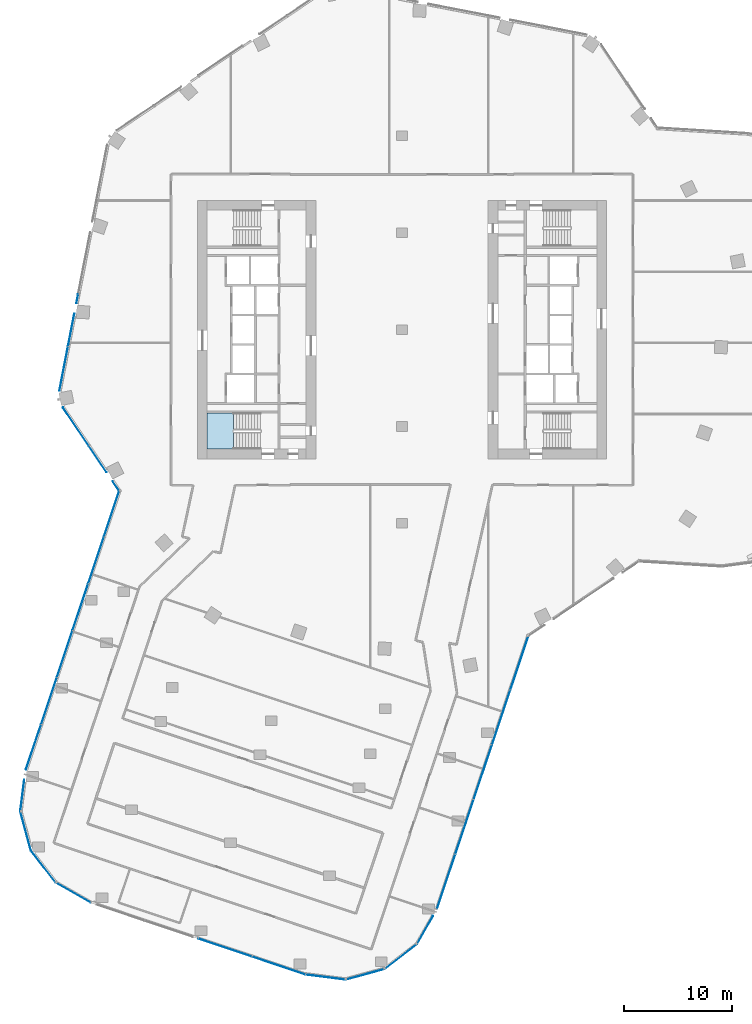
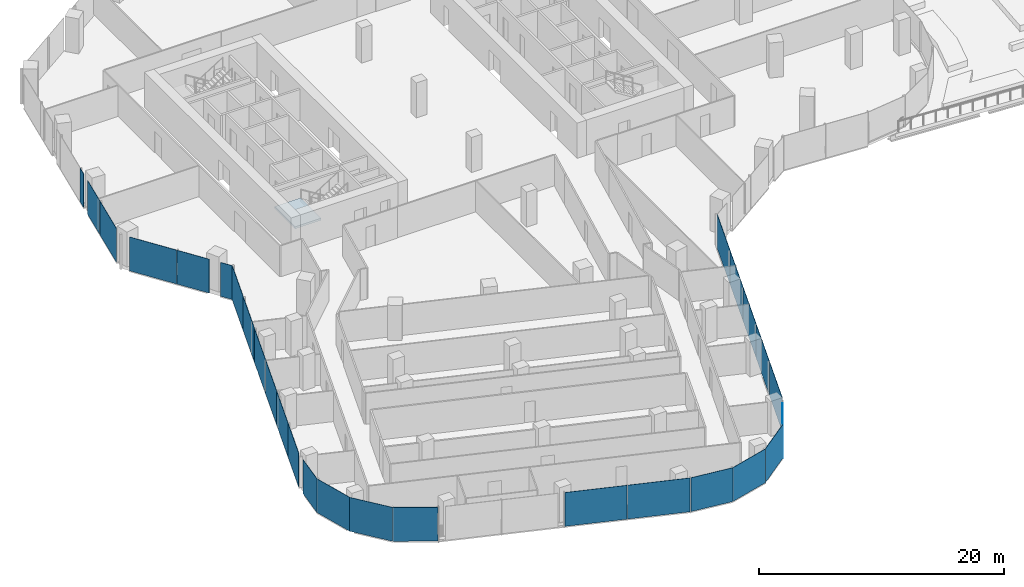
# One storey, part 15 of 26: 27 plates, 1 slab, 14 elements without a shape of their own.
"""IFC4 building model written with IfcOpenShell, lengths in metres."""

from ifc_helpers import new_model, si_unit, direction, frame, origin, origin_2d, place, context, subcontext, project, spatial, polyline, rectangle, outline, extrude, material, layer, layer_set, type_object, element, aggregate, save


model = new_model("IFC4")

# Units and contexts
model_context = context("Model", 3, precision=1e-05, world=origin(), true_north=direction((0.0, 1.0)))
body_context = subcontext(model_context, "Body", "Model", "MODEL_VIEW")
ifc_project = project(units=[si_unit("LENGTHUNIT", "METRE"), si_unit("AREAUNIT", "SQUARE_METRE"), si_unit("VOLUMEUNIT", "CUBIC_METRE"), si_unit("PLANEANGLEUNIT", "RADIAN"), si_unit("MASSUNIT", "GRAM", prefix="KILO")], contexts=[model_context])

# Site, building, storey
site_placement = place(None, origin())
site = spatial("IfcSite", under=ifc_project, at=site_placement, CompositionType="ELEMENT")
building_placement = place(site_placement, origin())
building = spatial("IfcBuilding", under=site, at=building_placement, Name="Orlundy Tower", CompositionType="ELEMENT")
storey_placement = place(building_placement, frame((0.0, 0.0, 156.10009765625)))
storey = spatial("IfcBuildingStorey", under=building, at=storey_placement, Name="L40", CompositionType="ELEMENT", Elevation=156.10009765625)

# Curtain wall, plates
ifc_material_1 = material(Name="Aluminium bronze anodised", Category="aluminium")
curtain_wall_type = type_object("IfcCurtainWallType", Name="CW1 wall", PredefinedType="NOTDEFINED", material=ifc_material_1)
curtain_wall_1_placement = place(storey_placement, origin())
curtain_wall_1 = element("IfcCurtainWall", 1, at=curtain_wall_1_placement, inside=storey, type_object=curtain_wall_type, Name="CW1 run 00", PredefinedType="NOTDEFINED")
ifc_material_2 = material(Name="Tinted glass", Category="glass")
ifc_layer_1 = layer(ifc_material_2, 0.031982421875)
ifc_layer_set_1 = layer_set([ifc_layer_1], Name="CW1 glass panel 32")
plate_type = type_object("IfcPlateType", Name="CW1 glass panel 32", PredefinedType="CURTAIN_PANEL", material=ifc_layer_set_1)
plate_1_placement = place(storey_placement, frame((-34.23779296875, -38.777587890625, -0.280029296875), z_axis=(0.0, 0.0, 1.0), x_axis=(0.317295386712, 0.948326756752, 0.0)))
plate_1 = element("IfcPlate", 2, at=plate_1_placement, type_object=plate_type, Name="CW1 panel", PredefinedType="CURTAIN_PANEL", context=body_context, shape_type="SweptSolid", body=[
    extrude(rectangle(XDim=4.402587890625, YDim=0.031982421875, at=origin_2d()), origin(), (0.0, 0.0, 1.0), 3.3798828125),
])
plate_2_placement = place(storey_placement, frame((-32.803466796875, -34.490478515625, -0.280029296875), z_axis=(0.0, 0.0, 1.0), x_axis=(0.317295386712, 0.948326756752, 0.0)))
plate_2 = element("IfcPlate", 3, at=plate_2_placement, type_object=plate_type, Name="CW1 panel", PredefinedType="CURTAIN_PANEL", context=body_context, shape_type="SweptSolid", body=[
    extrude(rectangle(XDim=4.538818359375, YDim=0.031982421875, at=origin_2d()), origin(), (0.0, 0.0, 1.0), 3.3798828125),
])
plate_3_placement = place(storey_placement, frame((-31.347412109375, -30.138916015625, -0.280029296875), z_axis=(0.0, 0.0, 1.0), x_axis=(0.317295386712, 0.948326756752, 0.0)))
plate_3 = element("IfcPlate", 4, at=plate_3_placement, type_object=plate_type, Name="CW1 panel", PredefinedType="CURTAIN_PANEL", context=body_context, shape_type="SweptSolid", body=[
    extrude(rectangle(XDim=4.538818359375, YDim=0.031982421875, at=origin_2d()), origin(), (0.0, 0.0, 1.0), 3.3798828125),
])
plate_4_placement = place(storey_placement, frame((-29.8916015625, -25.787109375, -0.280029296875), z_axis=(0.0, 0.0, 1.0), x_axis=(0.317295386712, 0.948326756752, 0.0)))
plate_4 = element("IfcPlate", 5, at=plate_4_placement, type_object=plate_type, Name="CW1 panel", PredefinedType="CURTAIN_PANEL", context=body_context, shape_type="SweptSolid", body=[
    extrude(rectangle(XDim=4.538818359375, YDim=0.031982421875, at=origin_2d()), origin(), (0.0, 0.0, 1.0), 3.3798828125),
])
plate_5_placement = place(storey_placement, frame((-28.435546875, -21.435546875, -0.280029296875), z_axis=(0.0, 0.0, 1.0), x_axis=(0.317295386712, 0.948326756752, 0.0)))
plate_5 = element("IfcPlate", 6, at=plate_5_placement, type_object=plate_type, Name="CW1 panel", PredefinedType="CURTAIN_PANEL", context=body_context, shape_type="SweptSolid", body=[
    extrude(rectangle(XDim=4.538818359375, YDim=0.031982421875, at=origin_2d()), origin(), (0.0, 0.0, 1.0), 3.3798828125),
])
plate_6_placement = place(storey_placement, frame((-26.98828125, -17.1103515625, -0.280029296875), z_axis=(0.0, 0.0, 1.0), x_axis=(0.317295386712, 0.948326756752, 0.0)))
plate_6 = element("IfcPlate", 7, at=plate_6_placement, type_object=plate_type, Name="CW1 panel", PredefinedType="CURTAIN_PANEL", context=body_context, shape_type="SweptSolid", body=[
    extrude(rectangle(XDim=4.48291015625, YDim=0.031982421875, at=origin_2d()), origin(), (0.0, 0.0, 1.0), 3.3798828125),
])
aggregate(curtain_wall_1, [plate_1, plate_2, plate_3, plate_4, plate_5, plate_6])

curtain_wall_2_placement = place(storey_placement, origin())
curtain_wall_2 = element("IfcCurtainWall", 8, at=curtain_wall_2_placement, inside=storey, type_object=curtain_wall_type, Name="CW1 run 01", PredefinedType="NOTDEFINED")
plate_7_placement = place(storey_placement, frame((-26.580810546875, -14.534423828125, -0.280029296875), z_axis=(0.0, 0.0, 1.0), x_axis=(-0.559201009656, 0.829032104807, 0.0)))
plate_7 = element("IfcPlate", 9, at=plate_7_placement, type_object=plate_type, Name="CW1 panel", PredefinedType="CURTAIN_PANEL", context=body_context, shape_type="SweptSolid", body=[
    extrude(rectangle(XDim=1.086181640625, YDim=0.031982421875, at=origin_2d()), origin(), (0.0, 0.0, 1.0), 3.3798828125),
])
plate_8_placement = place(storey_placement, frame((-28.267333984375, -12.0341796875, -0.280029296875), z_axis=(0.0, 0.0, 1.0), x_axis=(-0.559201009656, 0.829032104807, 0.0)))
plate_8 = element("IfcPlate", 10, at=plate_8_placement, type_object=plate_type, Name="CW1 panel", PredefinedType="CURTAIN_PANEL", context=body_context, shape_type="SweptSolid", body=[
    extrude(rectangle(XDim=2.906494140625, YDim=0.031982421875, at=origin_2d()), origin(), (0.0, 0.0, 1.0), 3.3798828125),
])
plate_9_placement = place(storey_placement, frame((-30.308837890625, -9.007568359375, -0.280029296875), z_axis=(0.0, 0.0, 1.0), x_axis=(-0.559201009656, 0.829032104807, 0.0)))
plate_9 = element("IfcPlate", 11, at=plate_9_placement, type_object=plate_type, Name="CW1 panel", PredefinedType="CURTAIN_PANEL", context=body_context, shape_type="SweptSolid", body=[
    extrude(rectangle(XDim=4.29541015625, YDim=0.031982421875, at=origin_2d()), origin(), (0.0, 0.0, 1.0), 3.3798828125),
])
aggregate(curtain_wall_2, [plate_7, plate_8, plate_9])

curtain_wall_3_placement = place(storey_placement, origin())
curtain_wall_3 = element("IfcCurtainWall", 12, at=curtain_wall_3_placement, inside=storey, type_object=curtain_wall_type, Name="CW1 run 02", PredefinedType="NOTDEFINED")
plate_10_placement = place(storey_placement, frame((-31.43310546875, -3.62353515625, -0.280029296875), z_axis=(0.0, 0.0, 1.0), x_axis=(0.19080503976, 0.981627952333, 0.0)))
plate_10 = element("IfcPlate", 13, at=plate_10_placement, type_object=plate_type, Name="CW1 panel", PredefinedType="CURTAIN_PANEL", context=body_context, shape_type="SweptSolid", body=[
    extrude(rectangle(XDim=4.147216796875, YDim=0.031982421875, at=origin_2d()), origin(), (0.0, 0.0, 1.0), 3.3798828125),
])
plate_11_placement = place(storey_placement, frame((-30.73583984375, -0.037109375, -0.280029296875), z_axis=(0.0, 0.0, 1.0), x_axis=(0.19080503976, 0.981627952333, 0.0)))
plate_11 = element("IfcPlate", 14, at=plate_11_placement, type_object=plate_type, Name="CW1 panel", PredefinedType="CURTAIN_PANEL", context=body_context, shape_type="SweptSolid", body=[
    extrude(rectangle(XDim=3.059814453125, YDim=0.031982421875, at=origin_2d()), origin(), (0.0, 0.0, 1.0), 3.3798828125),
])
plate_12_placement = place(storey_placement, frame((-30.169677734375, 2.87548828125, -0.280029296875), z_axis=(0.0, 0.0, 1.0), x_axis=(0.19080503976, 0.981627952333, 0.0)))
plate_12 = element("IfcPlate", 15, at=plate_12_placement, type_object=plate_type, Name="CW1 panel", PredefinedType="CURTAIN_PANEL", context=body_context, shape_type="SweptSolid", body=[
    extrude(rectangle(XDim=0.8466796875, YDim=0.031982421875, at=origin_2d()), origin(), (0.0, 0.0, 1.0), 3.3798828125),
])
aggregate(curtain_wall_3, [plate_10, plate_11, plate_12])

curtain_wall_4_placement = place(storey_placement, origin())
curtain_wall_4 = element("IfcCurtainWall", 16, at=curtain_wall_4_placement, inside=storey, type_object=curtain_wall_type, Name="CW1 run 018", PredefinedType="NOTDEFINED")
plate_13_placement = place(storey_placement, frame((10.90087890625, -30.968505859375, -0.280029296875), z_axis=(0.0, 0.0, 1.0), x_axis=(-0.317314020344, -0.948320522025, 0.0)))
plate_13 = element("IfcPlate", 17, at=plate_13_placement, type_object=plate_type, Name="CW1 panel", PredefinedType="CURTAIN_PANEL", context=body_context, shape_type="SweptSolid", body=[
    extrude(rectangle(XDim=5.276123046875, YDim=0.031982421875, at=origin_2d()), origin(), (0.0, 0.0, 1.0), 3.3798828125),
])
plate_14_placement = place(storey_placement, frame((9.205810546875, -36.033935546875, -0.280029296875), z_axis=(0.0, 0.0, 1.0), x_axis=(-0.317314020344, -0.948320522025, 0.0)))
plate_14 = element("IfcPlate", 18, at=plate_14_placement, type_object=plate_type, Name="CW1 panel", PredefinedType="CURTAIN_PANEL", context=body_context, shape_type="SweptSolid", body=[
    extrude(rectangle(XDim=5.306884765625, YDim=0.031982421875, at=origin_2d()), origin(), (0.0, 0.0, 1.0), 3.3798828125),
])
plate_15_placement = place(storey_placement, frame((7.506103515625, -41.114013671875, -0.280029296875), z_axis=(0.0, 0.0, 1.0), x_axis=(-0.317314020344, -0.948320522025, 0.0)))
plate_15 = element("IfcPlate", 19, at=plate_15_placement, type_object=plate_type, Name="CW1 panel", PredefinedType="CURTAIN_PANEL", context=body_context, shape_type="SweptSolid", body=[
    extrude(rectangle(XDim=5.306884765625, YDim=0.031982421875, at=origin_2d()), origin(), (0.0, 0.0, 1.0), 3.3798828125),
])
plate_16_placement = place(storey_placement, frame((5.80615234375, -46.194091796875, -0.280029296875), z_axis=(0.0, 0.0, 1.0), x_axis=(-0.317314020344, -0.948320522025, 0.0)))
plate_16 = element("IfcPlate", 20, at=plate_16_placement, type_object=plate_type, Name="CW1 panel", PredefinedType="CURTAIN_PANEL", context=body_context, shape_type="SweptSolid", body=[
    extrude(rectangle(XDim=5.306884765625, YDim=0.031982421875, at=origin_2d()), origin(), (0.0, 0.0, 1.0), 3.3798828125),
])
plate_17_placement = place(storey_placement, frame((4.10400390625, -51.28173828125, -0.280029296875), z_axis=(0.0, 0.0, 1.0), x_axis=(-0.317314020344, -0.948320522025, 0.0)))
plate_17 = element("IfcPlate", 21, at=plate_17_placement, type_object=plate_type, Name="CW1 panel", PredefinedType="CURTAIN_PANEL", context=body_context, shape_type="SweptSolid", body=[
    extrude(rectangle(XDim=5.32275390625, YDim=0.031982421875, at=origin_2d()), origin(), (0.0, 0.0, 1.0), 3.3798828125),
])
aggregate(curtain_wall_4, [plate_13, plate_14, plate_15, plate_16, plate_17])

# Curtain wall, plate
curtain_wall_5_placement = place(storey_placement, origin())
curtain_wall_5 = element("IfcCurtainWall", 22, at=curtain_wall_5_placement, inside=storey, type_object=curtain_wall_type, Name="CW1 run 019", PredefinedType="NOTDEFINED")
plate_18_placement = place(storey_placement, frame((2.135986328125, -55.78125, -0.280029296875), z_axis=(0.0, 0.0, 1.0), x_axis=(-0.496167993802, -0.868226538368, 0.0)))
plate_18 = element("IfcPlate", 23, at=plate_18_placement, type_object=plate_type, Name="CW1 panel", PredefinedType="CURTAIN_PANEL", context=body_context, shape_type="SweptSolid", body=[
    extrude(rectangle(XDim=3.013916015625, YDim=0.031982421875, at=origin_2d()), origin(), (0.0, 0.0, 1.0), 3.3798828125),
])
aggregate(curtain_wall_5, [plate_18])

curtain_wall_6_placement = place(storey_placement, origin())
curtain_wall_6 = element("IfcCurtainWall", 24, at=curtain_wall_6_placement, inside=storey, type_object=curtain_wall_type, Name="CW1 run 020", PredefinedType="NOTDEFINED")
plate_19_placement = place(storey_placement, frame((-0.10302734375, -58.24462890625, -0.280029296875), z_axis=(0.0, 0.0, 1.0), x_axis=(-0.790614183516, -0.61231463548, 0.0)))
plate_19 = element("IfcPlate", 25, at=plate_19_placement, type_object=plate_type, Name="CW1 panel", PredefinedType="CURTAIN_PANEL", context=body_context, shape_type="SweptSolid", body=[
    extrude(rectangle(XDim=3.7724609375, YDim=0.031982421875, at=origin_2d()), origin(), (0.0, 0.0, 1.0), 3.3798828125),
])
aggregate(curtain_wall_6, [plate_19])

curtain_wall_7_placement = place(storey_placement, origin())
curtain_wall_7 = element("IfcCurtainWall", 26, at=curtain_wall_7_placement, inside=storey, type_object=curtain_wall_type, Name="CW1 run 021", PredefinedType="NOTDEFINED")
plate_20_placement = place(storey_placement, frame((-3.413818359375, -59.895751953125, -0.280029296875), z_axis=(0.0, 0.0, 1.0), x_axis=(-0.964782496835, -0.263048919026, 0.0)))
plate_20 = element("IfcPlate", 27, at=plate_20_placement, type_object=plate_type, Name="CW1 panel", PredefinedType="CURTAIN_PANEL", context=body_context, shape_type="SweptSolid", body=[
    extrude(rectangle(XDim=3.771728515625, YDim=0.031982421875, at=origin_2d()), origin(), (0.0, 0.0, 1.0), 3.3798828125),
])
aggregate(curtain_wall_7, [plate_20])

curtain_wall_8_placement = place(storey_placement, origin())
curtain_wall_8 = element("IfcCurtainWall", 28, at=curtain_wall_8_placement, inside=storey, type_object=curtain_wall_type, Name="CW1 run 022", PredefinedType="NOTDEFINED")
plate_21_placement = place(storey_placement, frame((-7.08349609375, -60.15625, -0.280029296875), z_axis=(0.0, 0.0, 1.0), x_axis=(-0.99199729737, 0.126259106648, 0.0)))
plate_21 = element("IfcPlate", 29, at=plate_21_placement, type_object=plate_type, Name="CW1 panel", PredefinedType="CURTAIN_PANEL", context=body_context, shape_type="SweptSolid", body=[
    extrude(rectangle(XDim=3.730224609375, YDim=0.031982421875, at=origin_2d()), origin(), (0.0, 0.0, 1.0), 3.3798828125),
])
aggregate(curtain_wall_8, [plate_21])

# Curtain wall, plates
curtain_wall_9_placement = place(storey_placement, origin())
curtain_wall_9 = element("IfcCurtainWall", 30, at=curtain_wall_9_placement, inside=storey, type_object=curtain_wall_type, Name="CW1 run 023", PredefinedType="NOTDEFINED")
plate_22_placement = place(storey_placement, frame((-11.455810546875, -59.082275390625, -0.280029296875), z_axis=(0.0, 0.0, 1.0), x_axis=(-0.948330329219, 0.317284709186, 0.0)))
plate_22 = element("IfcPlate", 31, at=plate_22_placement, type_object=plate_type, Name="CW1 panel", PredefinedType="CURTAIN_PANEL", context=body_context, shape_type="SweptSolid", body=[
    extrude(rectangle(XDim=5.216064453125, YDim=0.031982421875, at=origin_2d()), origin(), (0.0, 0.0, 1.0), 3.3798828125),
])
plate_23_placement = place(storey_placement, frame((-16.442138671875, -57.413818359375, -0.280029296875), z_axis=(0.0, 0.0, 1.0), x_axis=(-0.948330329219, 0.317284709186, 0.0)))
plate_23 = element("IfcPlate", 32, at=plate_23_placement, type_object=plate_type, Name="CW1 panel", PredefinedType="CURTAIN_PANEL", context=body_context, shape_type="SweptSolid", body=[
    extrude(rectangle(XDim=5.199951171875, YDim=0.031982421875, at=origin_2d()), origin(), (0.0, 0.0, 1.0), 3.3798828125),
])
aggregate(curtain_wall_9, [plate_22, plate_23])

# Curtain wall, plate
curtain_wall_10_placement = place(storey_placement, origin())
curtain_wall_10 = element("IfcCurtainWall", 33, at=curtain_wall_10_placement, inside=storey, type_object=curtain_wall_type, Name="CW1 run 024", PredefinedType="NOTDEFINED")
plate_24_placement = place(storey_placement, frame((-30.54541015625, -52.30615234375, -0.280029296875), z_axis=(0.0, 0.0, 1.0), x_axis=(-0.868110302636, 0.496371335249, 0.0)))
plate_24 = element("IfcPlate", 34, at=plate_24_placement, type_object=plate_type, Name="CW1 panel", PredefinedType="CURTAIN_PANEL", context=body_context, shape_type="SweptSolid", body=[
    extrude(rectangle(XDim=3.73046875, YDim=0.031982421875, at=origin_2d()), origin(), (0.0, 0.0, 1.0), 3.3798828125),
])
aggregate(curtain_wall_10, [plate_24])

curtain_wall_11_placement = place(storey_placement, origin())
curtain_wall_11 = element("IfcCurtainWall", 35, at=curtain_wall_11_placement, inside=storey, type_object=curtain_wall_type, Name="CW1 run 025", PredefinedType="NOTDEFINED")
plate_25_placement = place(storey_placement, frame((-33.319580078125, -49.888916015625, -0.280029296875), z_axis=(0.0, 0.0, 1.0), x_axis=(-0.61231463548, 0.790614183516, 0.0)))
plate_25 = element("IfcPlate", 36, at=plate_25_placement, type_object=plate_type, Name="CW1 panel", PredefinedType="CURTAIN_PANEL", context=body_context, shape_type="SweptSolid", body=[
    extrude(rectangle(XDim=3.7724609375, YDim=0.031982421875, at=origin_2d()), origin(), (0.0, 0.0, 1.0), 3.3798828125),
])
aggregate(curtain_wall_11, [plate_25])

curtain_wall_12_placement = place(storey_placement, origin())
curtain_wall_12 = element("IfcCurtainWall", 37, at=curtain_wall_12_placement, inside=storey, type_object=curtain_wall_type, Name="CW1 run 026", PredefinedType="NOTDEFINED")
plate_26_placement = place(storey_placement, frame((-34.97021484375, -46.578125, -0.280029296875), z_axis=(0.0, 0.0, 1.0), x_axis=(-0.262797766834, 0.964850938616, 0.0)))
plate_26 = element("IfcPlate", 38, at=plate_26_placement, type_object=plate_type, Name="CW1 panel", PredefinedType="CURTAIN_PANEL", context=body_context, shape_type="SweptSolid", body=[
    extrude(rectangle(XDim=3.771484375, YDim=0.031982421875, at=origin_2d()), origin(), (0.0, 0.0, 1.0), 3.3798828125),
])
aggregate(curtain_wall_12, [plate_26])

curtain_wall_13_placement = place(storey_placement, origin())
curtain_wall_13 = element("IfcCurtainWall", 39, at=curtain_wall_13_placement, inside=storey, type_object=curtain_wall_type, Name="CW1 run 027", PredefinedType="NOTDEFINED")
plate_27_placement = place(storey_placement, frame((-35.27978515625, -43.294921875, -0.280029296875), z_axis=(0.0, 0.0, 1.0), x_axis=(0.125993609416, 0.992031053136, 0.0)))
plate_27 = element("IfcPlate", 40, at=plate_27_placement, type_object=plate_type, Name="CW1 panel", PredefinedType="CURTAIN_PANEL", context=body_context, shape_type="SweptSolid", body=[
    extrude(rectangle(XDim=2.950927734375, YDim=0.031982421875, at=origin_2d()), origin(), (0.0, 0.0, 1.0), 3.3798828125),
])
aggregate(curtain_wall_13, [plate_27])

# Stair, slab
ifc_material_3 = material(Name="Concrete C50/60", Category="concrete")
stair_type = type_object("IfcStairType", Name="Exit Stair 20 risers", PredefinedType="HALF_TURN_STAIR", material=ifc_material_3)
stair_placement = place(storey_placement, origin())
stair = element("IfcStair", 41, at=stair_placement, inside=storey, type_object=stair_type, Name="L40 Exit Stair ST-W2", PredefinedType="HALF_TURN_STAIR")
ifc_material_4 = material(Name="Concrete C50/60", Category="concrete")
ifc_layer_2 = layer(ifc_material_4, 0.199951171875)
ifc_layer_set_2 = layer_set([ifc_layer_2], Name="Exit Stair Landing")
slab_type = type_object("IfcSlabType", Name="Exit Stair Landing", PredefinedType="LANDING", material=ifc_layer_set_2)
slab_placement = place(storey_placement, frame((0.0, 0.0, 1.5498046875)))
slab = element("IfcSlab", 42, at=slab_placement, type_object=slab_type, Name="ST-W2 landing 1", PredefinedType="LANDING", context=body_context, shape_type="SweptSolid", body=[
    extrude(outline(polyline([(-15.659912109375, -7.75), (-18.10009765625, -7.75), (-18.10009765625, -11.10009765625), (-15.659912109375, -11.10009765625), (-15.659912109375, -7.75)])), origin(), (0.0, 0.0, 1.0), 0.2001953125),
])
aggregate(stair, [slab])

save(model, "model.ifc")
